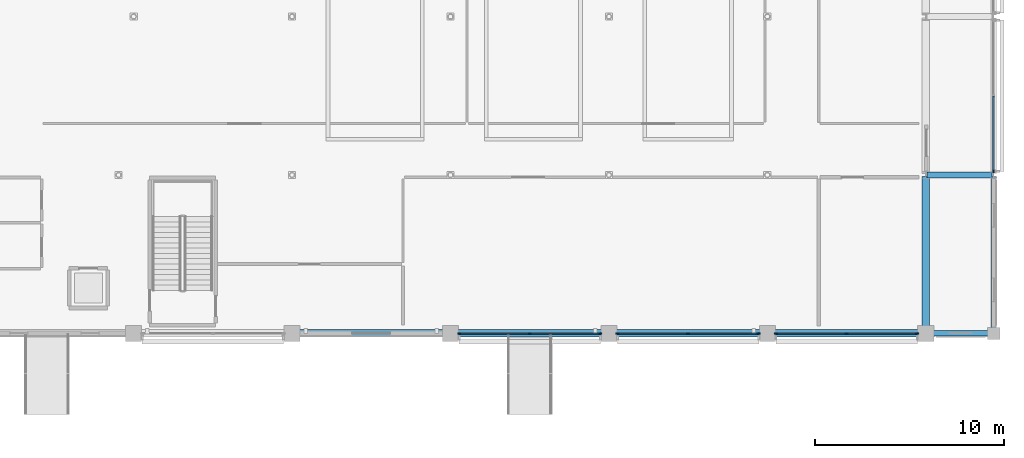
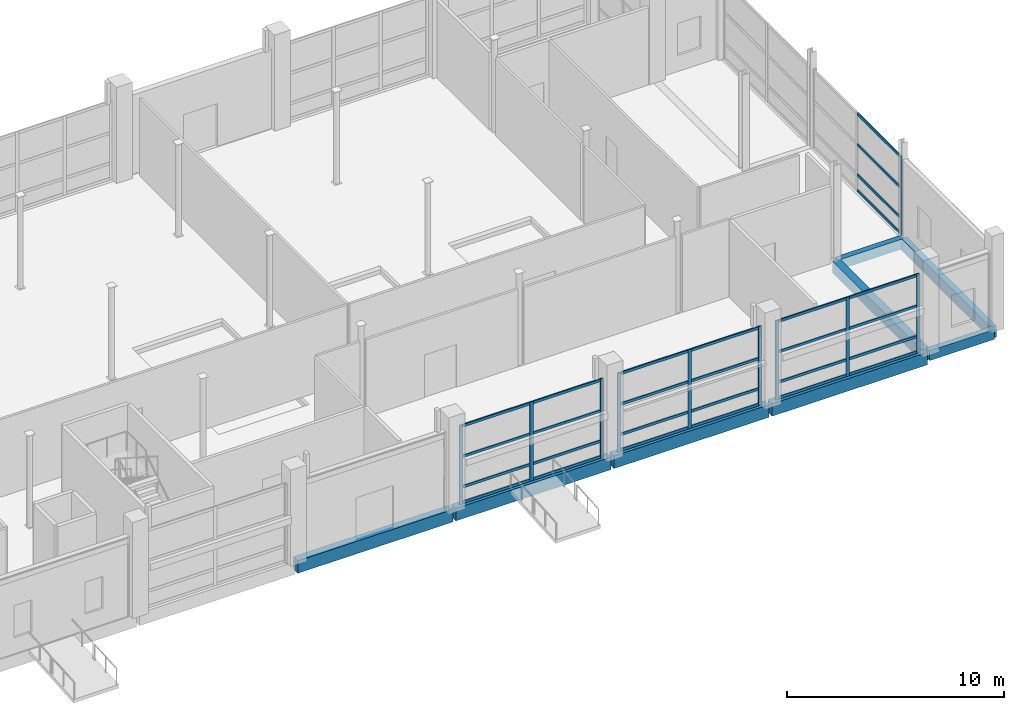
# One storey, part 41 of 140: 38 members, 8 beams, 4 elements without a shape of their own.
"""IFC4 building model written with IfcOpenShell, lengths in metres."""

from ifc_helpers import new_model, si_unit, direction, frame, origin, origin_2d, place, context, subcontext, project, spatial, rectangle, extrude, material, layer, layer_set, material_profile, profile_set, type_object, element, aggregate, save


model = new_model("IFC4")

# Units and contexts
model_context = context("Model", 3, precision=1e-05, world=origin(), true_north=direction((0.0, 1.0)))
body_context = subcontext(model_context, "Body", "Model", "MODEL_VIEW")
ifc_project = project(units=[si_unit("LENGTHUNIT", "METRE"), si_unit("AREAUNIT", "SQUARE_METRE"), si_unit("VOLUMEUNIT", "CUBIC_METRE"), si_unit("PLANEANGLEUNIT", "RADIAN"), si_unit("MASSUNIT", "GRAM", prefix="KILO")], contexts=[model_context])

# Site, building, storey
site_placement = place(None, origin())
site = spatial("IfcSite", under=ifc_project, at=site_placement, CompositionType="ELEMENT")
building_placement = place(site_placement, origin())
building = spatial("IfcBuilding", under=site, at=building_placement, Name="Telukmera Botanical Conservatory", CompositionType="ELEMENT")
storey_placement = place(building_placement, origin())
storey = spatial("IfcBuildingStorey", under=building, at=storey_placement, Name="L00", CompositionType="ELEMENT", Elevation=0.0)

# Beams
ifc_material_1 = material(Name="Concrete C40/50", Category="concrete")
ifc_material_profile_1 = material_profile(ifc_material_1, rectangle(XDim=0.300048828125, YDim=0.550048828125, at=origin_2d()), Name="RC 300x550")
ifc_profile_set_1 = profile_set([ifc_material_profile_1], Name="Concrete C40/50")
beam_type_1 = type_object("IfcBeamType", Name="Beam_B10", PredefinedType="BEAM", material=ifc_profile_set_1)
for number, where, z_axis, x_axis, name in (
    (1, (168.080078125, 17.60009765625, -0.27490234375), (1.0, 0.0, 0.0), (0.0, 1.0, 0.0), "Conservatory Beam beam:V1:L00:east_x:176"),
    (2, (168.080078125, 26.0, -0.27490234375), (1.0, 0.0, 0.0), (0.0, 1.0, 0.0), "Conservatory Beam beam:V1:L00:east_x:260"),
):
    element("IfcBeam", number, at=place(storey_placement, frame(where, z_axis=z_axis, x_axis=x_axis)), inside=storey, type_object=beam_type_1, Name=name, PredefinedType="BEAM", context=body_context, shape_type="SweptSolid", body=[
        extrude(rectangle(XDim=0.300048828125, YDim=0.550048828125, at=origin_2d()), origin(), (0.0, 0.0, 1.0), 3.43994140625),
    ])
ifc_material_profile_2 = material_profile(ifc_material_1, rectangle(XDim=0.39990234375, YDim=0.699951171875, at=origin_2d()), Name="RC 400x700")
ifc_profile_set_2 = profile_set([ifc_material_profile_2], Name="Concrete C40/50")
beam_type_2 = type_object("IfcBeamType", Name="Beam_B7", PredefinedType="BEAM", material=ifc_profile_set_2)
beam_1_placement = place(storey_placement, frame((134.47998046875, 17.60009765625, -0.35009765625), z_axis=(1.0, 0.0, 0.0), x_axis=(0.0, 1.0, 0.0)))
element("IfcBeam", 3, at=beam_1_placement, inside=storey, type_object=beam_type_2, Name="Conservatory Beam beam:V1:L00:gx:176:1344", PredefinedType="BEAM", context=body_context, shape_type="SweptSolid", body=[
    extrude(rectangle(XDim=0.39990234375, YDim=0.699951171875, at=origin_2d()), origin(), (0.0, 0.0, 1.0), 8.239990234375),
])
beam_2_placement = place(storey_placement, frame((142.8798828125, 17.60009765625, -0.35009765625), z_axis=(1.0, 0.0, 0.0), x_axis=(0.0, 1.0, 0.0)))
element("IfcBeam", 4, at=beam_2_placement, inside=storey, type_object=beam_type_2, Name="Conservatory Beam beam:V1:L00:gx:176:1428", PredefinedType="BEAM", context=body_context, shape_type="SweptSolid", body=[
    extrude(rectangle(XDim=0.39990234375, YDim=0.699951171875, at=origin_2d()), origin(), (0.0, 0.0, 1.0), 8.240234375),
])
for number, where, z_axis, x_axis, name in (
    (5, (151.280029296875, 17.60009765625, -0.35009765625), (1.0, 0.0, 0.0), (0.0, 1.0, 0.0), "Conservatory Beam beam:V1:L00:gx:176:1512"),
    (6, (159.679931640625, 17.60009765625, -0.35009765625), (1.0, 0.0, 0.0), (0.0, 1.0, 0.0), "Conservatory Beam beam:V1:L00:gx:176:1596"),
):
    element("IfcBeam", number, at=place(storey_placement, frame(where, z_axis=z_axis, x_axis=x_axis)), inside=storey, type_object=beam_type_2, Name=name, PredefinedType="BEAM", context=body_context, shape_type="SweptSolid", body=[
        extrude(rectangle(XDim=0.39990234375, YDim=0.699951171875, at=origin_2d()), origin(), (0.0, 0.0, 1.0), 8.239990234375),
    ])
ifc_material_profile_3 = material_profile(ifc_material_1, rectangle(XDim=0.39990234375, YDim=0.64990234375, at=origin_2d()), Name="RC 400x650")
ifc_profile_set_3 = profile_set([ifc_material_profile_3], Name="Concrete C40/50")
beam_type_3 = type_object("IfcBeamType", Name="Beam_B8", PredefinedType="BEAM", material=ifc_profile_set_3)
beam_3_placement = place(storey_placement, frame((168.0, 17.679931640625, -0.324951171875), z_axis=(0.0, 1.0, 0.0), x_axis=(-1.0, 0.0, 0.0)))
element("IfcBeam", 7, at=beam_3_placement, inside=storey, type_object=beam_type_3, Name="Conservatory Beam beam:V1:L00:gy:1680:176", PredefinedType="BEAM", context=body_context, shape_type="SweptSolid", body=[
    extrude(rectangle(XDim=0.39990234375, YDim=0.64990234375, at=origin_2d()), origin(), (0.0, 0.0, 1.0), 8.239990234375),
])
ifc_material_2 = material(Name="Precast concrete C40/50", Category="concrete")
ifc_material_profile_4 = material_profile(ifc_material_2, rectangle(XDim=0.300048828125, YDim=0.64990234375, at=origin_2d()), Name="PC 300x650")
ifc_profile_set_4 = profile_set([ifc_material_profile_4], Name="Precast concrete C40/50")
beam_type_4 = type_object("IfcBeamType", Name="Beam_SP4", PredefinedType="SPANDREL", material=ifc_profile_set_4)
beam_4_placement = place(storey_placement, frame((171.60009765625, 17.679931640625, -0.324951171875), z_axis=(0.0, 1.0, 0.0), x_axis=(-1.0, 0.0, 0.0)))
element("IfcBeam", 8, at=beam_4_placement, inside=storey, type_object=beam_type_4, Name="Conservatory Beam beam:V1:L00:east_y:176", PredefinedType="SPANDREL", context=body_context, shape_type="SweptSolid", body=[
    extrude(rectangle(XDim=0.300048828125, YDim=0.64990234375, at=origin_2d()), origin(), (0.0, 0.0, 1.0), 8.239990234375),
])

# Curtain wall, members
ifc_material_3 = material(Name="Anodised aluminium 6063-T6", Category="aluminium")
ifc_layer = layer(ifc_material_3, 0.179931640625)
ifc_layer_set = layer_set([ifc_layer], Name="Anodised aluminium 6063-T6")
curtain_wall_type = type_object("IfcCurtainWallType", Name="Conservatory Boulevard Unitised Curtain Wall 3600 Mod", PredefinedType="USERDEFINED", material=ifc_layer_set)
curtain_wall_1_placement = place(storey_placement, origin())
curtain_wall_1 = element("IfcCurtainWall", 9, at=curtain_wall_1_placement, inside=storey, type_object=curtain_wall_type, Name="Unitised Curtain Wall CW01 V1:L00:S4", ObjectType="UNITISED CURTAIN WALL", PredefinedType="USERDEFINED")
ifc_material_profile_5 = material_profile(ifc_material_3, rectangle(XDim=0.070068359375, YDim=0.179931640625, at=origin_2d()), Name="ALU MULL 70x180")
ifc_profile_set_5 = profile_set([ifc_material_profile_5], Name="Anodised aluminium 6063-T6")
member_type_1 = type_object("IfcMemberType", Name="Curtain Wall Extruded Mullion 70x180", PredefinedType="MULLION", material=ifc_profile_set_5)
member_1_placement = place(storey_placement, frame((143.261962890625, 17.60009765625, 0.0), z_axis=(0.0, 0.0, 1.0), x_axis=(0.0, 1.0, 0.0)))
member_1 = element("IfcMember", 10, at=member_1_placement, type_object=member_type_1, Name="CW01 mullion 1", PredefinedType="MULLION", context=body_context, shape_type="SweptSolid", body=[
    extrude(rectangle(XDim=0.070068359375, YDim=0.179931640625, at=origin_2d()), origin(), (0.0, 0.0, 1.0), 4.449951171875),
])
member_2_placement = place(storey_placement, frame((147.0, 17.60009765625, 0.0), z_axis=(0.0, 0.0, 1.0), x_axis=(0.0, 1.0, 0.0)))
member_2 = element("IfcMember", 11, at=member_2_placement, type_object=member_type_1, Name="CW01 mullion 2", PredefinedType="MULLION", context=body_context, shape_type="SweptSolid", body=[
    extrude(rectangle(XDim=0.070068359375, YDim=0.179931640625, at=origin_2d()), origin(), (0.0, 0.0, 1.0), 4.449951171875),
])
member_3_placement = place(storey_placement, frame((150.738037109375, 17.60009765625, 0.0), z_axis=(0.0, 0.0, 1.0), x_axis=(0.0, 1.0, 0.0)))
member_3 = element("IfcMember", 12, at=member_3_placement, type_object=member_type_1, Name="CW01 mullion 3", PredefinedType="MULLION", context=body_context, shape_type="SweptSolid", body=[
    extrude(rectangle(XDim=0.070068359375, YDim=0.179931640625, at=origin_2d()), origin(), (0.0, 0.0, 1.0), 4.449951171875),
])

curtain_wall_2_placement = place(storey_placement, origin())
curtain_wall_2 = element("IfcCurtainWall", 13, at=curtain_wall_2_placement, inside=storey, type_object=curtain_wall_type, Name="Unitised Curtain Wall CW01 V1:L00:S5", ObjectType="UNITISED CURTAIN WALL", PredefinedType="USERDEFINED")
member_4_placement = place(storey_placement, frame((151.662109375, 17.60009765625, 0.0), z_axis=(0.0, 0.0, 1.0), x_axis=(0.0, 1.0, 0.0)))
member_4 = element("IfcMember", 14, at=member_4_placement, type_object=member_type_1, Name="CW01 mullion 1", PredefinedType="MULLION", context=body_context, shape_type="SweptSolid", body=[
    extrude(rectangle(XDim=0.070068359375, YDim=0.179931640625, at=origin_2d()), origin(), (0.0, 0.0, 1.0), 4.449951171875),
])
member_5_placement = place(storey_placement, frame((155.39990234375, 17.60009765625, 0.0), z_axis=(0.0, 0.0, 1.0), x_axis=(0.0, 1.0, 0.0)))
member_5 = element("IfcMember", 15, at=member_5_placement, type_object=member_type_1, Name="CW01 mullion 2", PredefinedType="MULLION", context=body_context, shape_type="SweptSolid", body=[
    extrude(rectangle(XDim=0.070068359375, YDim=0.179931640625, at=origin_2d()), origin(), (0.0, 0.0, 1.0), 4.449951171875),
])
member_6_placement = place(storey_placement, frame((159.137939453125, 17.60009765625, 0.0), z_axis=(0.0, 0.0, 1.0), x_axis=(0.0, 1.0, 0.0)))
member_6 = element("IfcMember", 16, at=member_6_placement, type_object=member_type_1, Name="CW01 mullion 3", PredefinedType="MULLION", context=body_context, shape_type="SweptSolid", body=[
    extrude(rectangle(XDim=0.070068359375, YDim=0.179931640625, at=origin_2d()), origin(), (0.0, 0.0, 1.0), 4.449951171875),
])

curtain_wall_3_placement = place(storey_placement, origin())
curtain_wall_3 = element("IfcCurtainWall", 17, at=curtain_wall_3_placement, inside=storey, type_object=curtain_wall_type, Name="Unitised Curtain Wall CW01 V1:L00:S6", ObjectType="UNITISED CURTAIN WALL", PredefinedType="USERDEFINED")
member_7_placement = place(storey_placement, frame((160.06201171875, 17.60009765625, 0.0), z_axis=(0.0, 0.0, 1.0), x_axis=(0.0, 1.0, 0.0)))
member_7 = element("IfcMember", 18, at=member_7_placement, type_object=member_type_1, Name="CW01 mullion 1", PredefinedType="MULLION", context=body_context, shape_type="SweptSolid", body=[
    extrude(rectangle(XDim=0.070068359375, YDim=0.179931640625, at=origin_2d()), origin(), (0.0, 0.0, 1.0), 4.449951171875),
])
member_8_placement = place(storey_placement, frame((163.800048828125, 17.60009765625, 0.0), z_axis=(0.0, 0.0, 1.0), x_axis=(0.0, 1.0, 0.0)))
member_8 = element("IfcMember", 19, at=member_8_placement, type_object=member_type_1, Name="CW01 mullion 2", PredefinedType="MULLION", context=body_context, shape_type="SweptSolid", body=[
    extrude(rectangle(XDim=0.070068359375, YDim=0.179931640625, at=origin_2d()), origin(), (0.0, 0.0, 1.0), 4.449951171875),
])
member_9_placement = place(storey_placement, frame((167.5380859375, 17.60009765625, 0.0), z_axis=(0.0, 0.0, 1.0), x_axis=(0.0, 1.0, 0.0)))
member_9 = element("IfcMember", 20, at=member_9_placement, type_object=member_type_1, Name="CW01 mullion 3", PredefinedType="MULLION", context=body_context, shape_type="SweptSolid", body=[
    extrude(rectangle(XDim=0.070068359375, YDim=0.179931640625, at=origin_2d()), origin(), (0.0, 0.0, 1.0), 4.449951171875),
])

# Curtain wall, member
curtain_wall_4_placement = place(storey_placement, origin())
curtain_wall_4 = element("IfcCurtainWall", 21, at=curtain_wall_4_placement, inside=storey, type_object=curtain_wall_type, Name="Unitised Curtain Wall CW01 V1:L00:E2", ObjectType="UNITISED CURTAIN WALL", PredefinedType="USERDEFINED")
member_10_placement = place(storey_placement, frame((171.60009765625, 26.197265625, 0.0), z_axis=(0.0, 0.0, 1.0), x_axis=(-1.0, 0.0, 0.0)))
member_10 = element("IfcMember", 22, at=member_10_placement, type_object=member_type_1, Name="CW01 mullion 1", PredefinedType="MULLION", context=body_context, shape_type="SweptSolid", body=[
    extrude(rectangle(XDim=0.070068359375, YDim=0.179931640625, at=origin_2d()), origin(), (0.0, 0.0, 1.0), 4.449951171875),
])

# Member
ifc_material_profile_6 = material_profile(ifc_material_3, rectangle(XDim=0.070068359375, YDim=0.14990234375, at=origin_2d()), Name="ALU TRAN 70x150")
ifc_profile_set_6 = profile_set([ifc_material_profile_6], Name="Anodised aluminium 6063-T6")
member_type_2 = type_object("IfcMemberType", Name="Curtain Wall Extruded Transom 70x150", PredefinedType="USERDEFINED", material=ifc_profile_set_6)
member_11_placement = place(storey_placement, frame((143.297119140625, 17.60009765625, 0.074951171875), z_axis=(1.0, 0.0, 0.0), x_axis=(0.0, 1.0, 0.0)))
member_11 = element("IfcMember", 23, at=member_11_placement, type_object=member_type_2, Name="CW01 transom 1.1", ObjectType="TRANSOM", PredefinedType="USERDEFINED", context=body_context, shape_type="SweptSolid", body=[
    extrude(rectangle(XDim=0.070068359375, YDim=0.14990234375, at=origin_2d()), origin(), (0.0, 0.0, 1.0), 3.66796875),
])

member_12_placement = place(storey_placement, frame((143.297119140625, 17.60009765625, 0.949951171875), z_axis=(1.0, 0.0, 0.0), x_axis=(0.0, 1.0, 0.0)))
member_12 = element("IfcMember", 24, at=member_12_placement, type_object=member_type_2, Name="CW01 transom 1.2", ObjectType="TRANSOM", PredefinedType="USERDEFINED", context=body_context, shape_type="SweptSolid", body=[
    extrude(rectangle(XDim=0.070068359375, YDim=0.14990234375, at=origin_2d()), origin(), (0.0, 0.0, 1.0), 3.66796875),
])

member_13_placement = place(storey_placement, frame((143.297119140625, 17.60009765625, 2.64990234375), z_axis=(1.0, 0.0, 0.0), x_axis=(0.0, 1.0, 0.0)))
member_13 = element("IfcMember", 25, at=member_13_placement, type_object=member_type_2, Name="CW01 transom 1.3", ObjectType="TRANSOM", PredefinedType="USERDEFINED", context=body_context, shape_type="SweptSolid", body=[
    extrude(rectangle(XDim=0.070068359375, YDim=0.14990234375, at=origin_2d()), origin(), (0.0, 0.0, 1.0), 3.66796875),
])

member_14_placement = place(storey_placement, frame((143.297119140625, 17.60009765625, 4.375), z_axis=(1.0, 0.0, 0.0), x_axis=(0.0, 1.0, 0.0)))
member_14 = element("IfcMember", 26, at=member_14_placement, type_object=member_type_2, Name="CW01 transom 1.4", ObjectType="TRANSOM", PredefinedType="USERDEFINED", context=body_context, shape_type="SweptSolid", body=[
    extrude(rectangle(XDim=0.070068359375, YDim=0.14990234375, at=origin_2d()), origin(), (0.0, 0.0, 1.0), 3.66796875),
])

member_15_placement = place(storey_placement, frame((147.034912109375, 17.60009765625, 0.074951171875), z_axis=(1.0, 0.0, 0.0), x_axis=(0.0, 1.0, 0.0)))
member_15 = element("IfcMember", 27, at=member_15_placement, type_object=member_type_2, Name="CW01 transom 2.1", ObjectType="TRANSOM", PredefinedType="USERDEFINED", context=body_context, shape_type="SweptSolid", body=[
    extrude(rectangle(XDim=0.070068359375, YDim=0.14990234375, at=origin_2d()), origin(), (0.0, 0.0, 1.0), 3.66796875),
])

member_16_placement = place(storey_placement, frame((147.034912109375, 17.60009765625, 0.949951171875), z_axis=(1.0, 0.0, 0.0), x_axis=(0.0, 1.0, 0.0)))
member_16 = element("IfcMember", 28, at=member_16_placement, type_object=member_type_2, Name="CW01 transom 2.2", ObjectType="TRANSOM", PredefinedType="USERDEFINED", context=body_context, shape_type="SweptSolid", body=[
    extrude(rectangle(XDim=0.070068359375, YDim=0.14990234375, at=origin_2d()), origin(), (0.0, 0.0, 1.0), 3.66796875),
])

member_17_placement = place(storey_placement, frame((147.034912109375, 17.60009765625, 2.64990234375), z_axis=(1.0, 0.0, 0.0), x_axis=(0.0, 1.0, 0.0)))
member_17 = element("IfcMember", 29, at=member_17_placement, type_object=member_type_2, Name="CW01 transom 2.3", ObjectType="TRANSOM", PredefinedType="USERDEFINED", context=body_context, shape_type="SweptSolid", body=[
    extrude(rectangle(XDim=0.070068359375, YDim=0.14990234375, at=origin_2d()), origin(), (0.0, 0.0, 1.0), 3.66796875),
])

member_18_placement = place(storey_placement, frame((147.034912109375, 17.60009765625, 4.375), z_axis=(1.0, 0.0, 0.0), x_axis=(0.0, 1.0, 0.0)))
member_18 = element("IfcMember", 30, at=member_18_placement, type_object=member_type_2, Name="CW01 transom 2.4", ObjectType="TRANSOM", PredefinedType="USERDEFINED", context=body_context, shape_type="SweptSolid", body=[
    extrude(rectangle(XDim=0.070068359375, YDim=0.14990234375, at=origin_2d()), origin(), (0.0, 0.0, 1.0), 3.66796875),
])

aggregate(curtain_wall_1, [member_1, member_2, member_3, member_11, member_12, member_13, member_14, member_15, member_16, member_17, member_18])

member_19_placement = place(storey_placement, frame((151.697021484375, 17.60009765625, 0.074951171875), z_axis=(1.0, 0.0, 0.0), x_axis=(0.0, 1.0, 0.0)))
member_19 = element("IfcMember", 31, at=member_19_placement, type_object=member_type_2, Name="CW01 transom 1.1", ObjectType="TRANSOM", PredefinedType="USERDEFINED", context=body_context, shape_type="SweptSolid", body=[
    extrude(rectangle(XDim=0.070068359375, YDim=0.14990234375, at=origin_2d()), origin(), (0.0, 0.0, 1.0), 3.66796875),
])

member_20_placement = place(storey_placement, frame((151.697021484375, 17.60009765625, 0.949951171875), z_axis=(1.0, 0.0, 0.0), x_axis=(0.0, 1.0, 0.0)))
member_20 = element("IfcMember", 32, at=member_20_placement, type_object=member_type_2, Name="CW01 transom 1.2", ObjectType="TRANSOM", PredefinedType="USERDEFINED", context=body_context, shape_type="SweptSolid", body=[
    extrude(rectangle(XDim=0.070068359375, YDim=0.14990234375, at=origin_2d()), origin(), (0.0, 0.0, 1.0), 3.66796875),
])

member_21_placement = place(storey_placement, frame((151.697021484375, 17.60009765625, 2.64990234375), z_axis=(1.0, 0.0, 0.0), x_axis=(0.0, 1.0, 0.0)))
member_21 = element("IfcMember", 33, at=member_21_placement, type_object=member_type_2, Name="CW01 transom 1.3", ObjectType="TRANSOM", PredefinedType="USERDEFINED", context=body_context, shape_type="SweptSolid", body=[
    extrude(rectangle(XDim=0.070068359375, YDim=0.14990234375, at=origin_2d()), origin(), (0.0, 0.0, 1.0), 3.66796875),
])

member_22_placement = place(storey_placement, frame((151.697021484375, 17.60009765625, 4.375), z_axis=(1.0, 0.0, 0.0), x_axis=(0.0, 1.0, 0.0)))
member_22 = element("IfcMember", 34, at=member_22_placement, type_object=member_type_2, Name="CW01 transom 1.4", ObjectType="TRANSOM", PredefinedType="USERDEFINED", context=body_context, shape_type="SweptSolid", body=[
    extrude(rectangle(XDim=0.070068359375, YDim=0.14990234375, at=origin_2d()), origin(), (0.0, 0.0, 1.0), 3.66796875),
])

member_23_placement = place(storey_placement, frame((155.43505859375, 17.60009765625, 0.074951171875), z_axis=(1.0, 0.0, 0.0), x_axis=(0.0, 1.0, 0.0)))
member_23 = element("IfcMember", 35, at=member_23_placement, type_object=member_type_2, Name="CW01 transom 2.1", ObjectType="TRANSOM", PredefinedType="USERDEFINED", context=body_context, shape_type="SweptSolid", body=[
    extrude(rectangle(XDim=0.070068359375, YDim=0.14990234375, at=origin_2d()), origin(), (0.0, 0.0, 1.0), 3.66796875),
])

member_24_placement = place(storey_placement, frame((155.43505859375, 17.60009765625, 0.949951171875), z_axis=(1.0, 0.0, 0.0), x_axis=(0.0, 1.0, 0.0)))
member_24 = element("IfcMember", 36, at=member_24_placement, type_object=member_type_2, Name="CW01 transom 2.2", ObjectType="TRANSOM", PredefinedType="USERDEFINED", context=body_context, shape_type="SweptSolid", body=[
    extrude(rectangle(XDim=0.070068359375, YDim=0.14990234375, at=origin_2d()), origin(), (0.0, 0.0, 1.0), 3.66796875),
])

member_25_placement = place(storey_placement, frame((155.43505859375, 17.60009765625, 2.64990234375), z_axis=(1.0, 0.0, 0.0), x_axis=(0.0, 1.0, 0.0)))
member_25 = element("IfcMember", 37, at=member_25_placement, type_object=member_type_2, Name="CW01 transom 2.3", ObjectType="TRANSOM", PredefinedType="USERDEFINED", context=body_context, shape_type="SweptSolid", body=[
    extrude(rectangle(XDim=0.070068359375, YDim=0.14990234375, at=origin_2d()), origin(), (0.0, 0.0, 1.0), 3.66796875),
])

member_26_placement = place(storey_placement, frame((155.43505859375, 17.60009765625, 4.375), z_axis=(1.0, 0.0, 0.0), x_axis=(0.0, 1.0, 0.0)))
member_26 = element("IfcMember", 38, at=member_26_placement, type_object=member_type_2, Name="CW01 transom 2.4", ObjectType="TRANSOM", PredefinedType="USERDEFINED", context=body_context, shape_type="SweptSolid", body=[
    extrude(rectangle(XDim=0.070068359375, YDim=0.14990234375, at=origin_2d()), origin(), (0.0, 0.0, 1.0), 3.66796875),
])

aggregate(curtain_wall_2, [member_4, member_5, member_6, member_19, member_20, member_21, member_22, member_23, member_24, member_25, member_26])

member_27_placement = place(storey_placement, frame((160.096923828125, 17.60009765625, 0.074951171875), z_axis=(1.0, 0.0, 0.0), x_axis=(0.0, 1.0, 0.0)))
member_27 = element("IfcMember", 39, at=member_27_placement, type_object=member_type_2, Name="CW01 transom 1.1", ObjectType="TRANSOM", PredefinedType="USERDEFINED", context=body_context, shape_type="SweptSolid", body=[
    extrude(rectangle(XDim=0.070068359375, YDim=0.14990234375, at=origin_2d()), origin(), (0.0, 0.0, 1.0), 3.66796875),
])

member_28_placement = place(storey_placement, frame((160.096923828125, 17.60009765625, 0.949951171875), z_axis=(1.0, 0.0, 0.0), x_axis=(0.0, 1.0, 0.0)))
member_28 = element("IfcMember", 40, at=member_28_placement, type_object=member_type_2, Name="CW01 transom 1.2", ObjectType="TRANSOM", PredefinedType="USERDEFINED", context=body_context, shape_type="SweptSolid", body=[
    extrude(rectangle(XDim=0.070068359375, YDim=0.14990234375, at=origin_2d()), origin(), (0.0, 0.0, 1.0), 3.66796875),
])

member_29_placement = place(storey_placement, frame((160.096923828125, 17.60009765625, 2.64990234375), z_axis=(1.0, 0.0, 0.0), x_axis=(0.0, 1.0, 0.0)))
member_29 = element("IfcMember", 41, at=member_29_placement, type_object=member_type_2, Name="CW01 transom 1.3", ObjectType="TRANSOM", PredefinedType="USERDEFINED", context=body_context, shape_type="SweptSolid", body=[
    extrude(rectangle(XDim=0.070068359375, YDim=0.14990234375, at=origin_2d()), origin(), (0.0, 0.0, 1.0), 3.66796875),
])

member_30_placement = place(storey_placement, frame((160.096923828125, 17.60009765625, 4.375), z_axis=(1.0, 0.0, 0.0), x_axis=(0.0, 1.0, 0.0)))
member_30 = element("IfcMember", 42, at=member_30_placement, type_object=member_type_2, Name="CW01 transom 1.4", ObjectType="TRANSOM", PredefinedType="USERDEFINED", context=body_context, shape_type="SweptSolid", body=[
    extrude(rectangle(XDim=0.070068359375, YDim=0.14990234375, at=origin_2d()), origin(), (0.0, 0.0, 1.0), 3.66796875),
])

member_31_placement = place(storey_placement, frame((163.8349609375, 17.60009765625, 0.074951171875), z_axis=(1.0, 0.0, 0.0), x_axis=(0.0, 1.0, 0.0)))
member_31 = element("IfcMember", 43, at=member_31_placement, type_object=member_type_2, Name="CW01 transom 2.1", ObjectType="TRANSOM", PredefinedType="USERDEFINED", context=body_context, shape_type="SweptSolid", body=[
    extrude(rectangle(XDim=0.070068359375, YDim=0.14990234375, at=origin_2d()), origin(), (0.0, 0.0, 1.0), 3.66796875),
])

member_32_placement = place(storey_placement, frame((163.8349609375, 17.60009765625, 0.949951171875), z_axis=(1.0, 0.0, 0.0), x_axis=(0.0, 1.0, 0.0)))
member_32 = element("IfcMember", 44, at=member_32_placement, type_object=member_type_2, Name="CW01 transom 2.2", ObjectType="TRANSOM", PredefinedType="USERDEFINED", context=body_context, shape_type="SweptSolid", body=[
    extrude(rectangle(XDim=0.070068359375, YDim=0.14990234375, at=origin_2d()), origin(), (0.0, 0.0, 1.0), 3.66796875),
])

member_33_placement = place(storey_placement, frame((163.8349609375, 17.60009765625, 2.64990234375), z_axis=(1.0, 0.0, 0.0), x_axis=(0.0, 1.0, 0.0)))
member_33 = element("IfcMember", 45, at=member_33_placement, type_object=member_type_2, Name="CW01 transom 2.3", ObjectType="TRANSOM", PredefinedType="USERDEFINED", context=body_context, shape_type="SweptSolid", body=[
    extrude(rectangle(XDim=0.070068359375, YDim=0.14990234375, at=origin_2d()), origin(), (0.0, 0.0, 1.0), 3.66796875),
])

member_34_placement = place(storey_placement, frame((163.8349609375, 17.60009765625, 4.375), z_axis=(1.0, 0.0, 0.0), x_axis=(0.0, 1.0, 0.0)))
member_34 = element("IfcMember", 46, at=member_34_placement, type_object=member_type_2, Name="CW01 transom 2.4", ObjectType="TRANSOM", PredefinedType="USERDEFINED", context=body_context, shape_type="SweptSolid", body=[
    extrude(rectangle(XDim=0.070068359375, YDim=0.14990234375, at=origin_2d()), origin(), (0.0, 0.0, 1.0), 3.66796875),
])

aggregate(curtain_wall_3, [member_7, member_8, member_9, member_27, member_28, member_29, member_30, member_31, member_32, member_33, member_34])

member_35_placement = place(storey_placement, frame((171.60009765625, 26.232421875, 0.074951171875), z_axis=(0.0, 1.0, 0.0), x_axis=(-1.0, 0.0, 0.0)))
member_35 = element("IfcMember", 47, at=member_35_placement, type_object=member_type_2, Name="CW01 transom 1.1", ObjectType="TRANSOM", PredefinedType="USERDEFINED", context=body_context, shape_type="SweptSolid", body=[
    extrude(rectangle(XDim=0.070068359375, YDim=0.14990234375, at=origin_2d()), origin(), (0.0, 0.0, 1.0), 3.9326171875),
])

member_36_placement = place(storey_placement, frame((171.60009765625, 26.232421875, 0.949951171875), z_axis=(0.0, 1.0, 0.0), x_axis=(-1.0, 0.0, 0.0)))
member_36 = element("IfcMember", 48, at=member_36_placement, type_object=member_type_2, Name="CW01 transom 1.2", ObjectType="TRANSOM", PredefinedType="USERDEFINED", context=body_context, shape_type="SweptSolid", body=[
    extrude(rectangle(XDim=0.070068359375, YDim=0.14990234375, at=origin_2d()), origin(), (0.0, 0.0, 1.0), 3.9326171875),
])

member_37_placement = place(storey_placement, frame((171.60009765625, 26.232421875, 2.64990234375), z_axis=(0.0, 1.0, 0.0), x_axis=(-1.0, 0.0, 0.0)))
member_37 = element("IfcMember", 49, at=member_37_placement, type_object=member_type_2, Name="CW01 transom 1.3", ObjectType="TRANSOM", PredefinedType="USERDEFINED", context=body_context, shape_type="SweptSolid", body=[
    extrude(rectangle(XDim=0.070068359375, YDim=0.14990234375, at=origin_2d()), origin(), (0.0, 0.0, 1.0), 3.9326171875),
])

member_38_placement = place(storey_placement, frame((171.60009765625, 26.232421875, 4.375), z_axis=(0.0, 1.0, 0.0), x_axis=(-1.0, 0.0, 0.0)))
member_38 = element("IfcMember", 50, at=member_38_placement, type_object=member_type_2, Name="CW01 transom 1.4", ObjectType="TRANSOM", PredefinedType="USERDEFINED", context=body_context, shape_type="SweptSolid", body=[
    extrude(rectangle(XDim=0.070068359375, YDim=0.14990234375, at=origin_2d()), origin(), (0.0, 0.0, 1.0), 3.9326171875),
])

aggregate(curtain_wall_4, [member_10, member_35, member_36, member_37, member_38])

save(model, "model.ifc")
